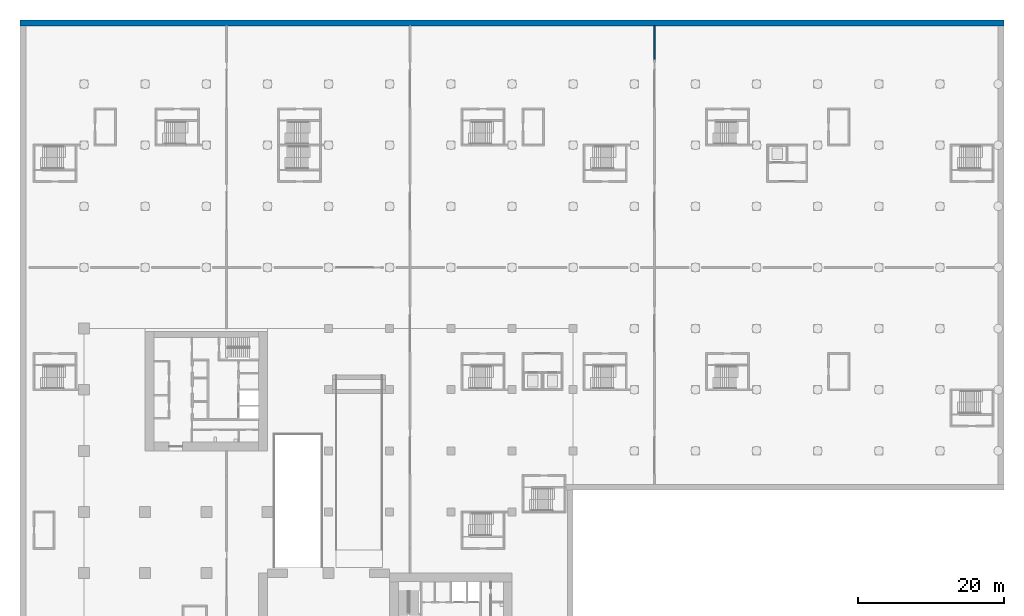
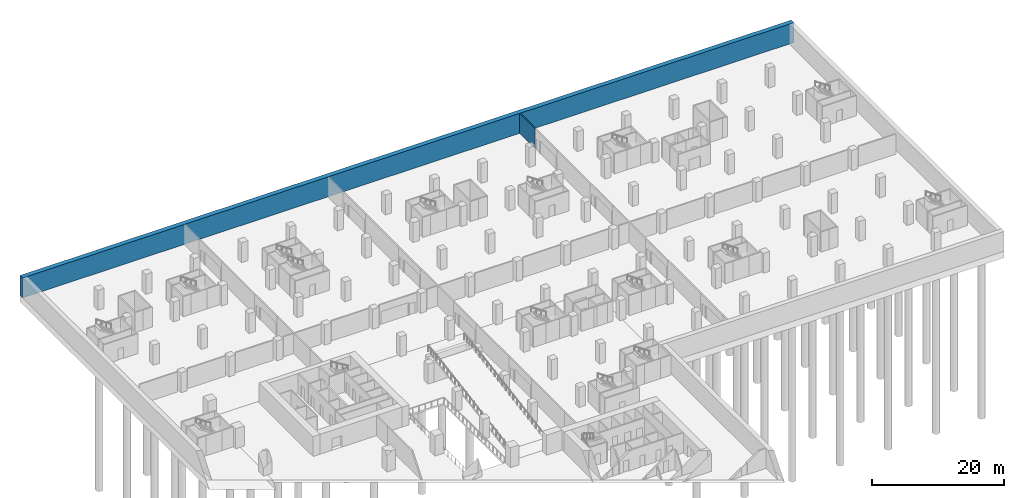
# One storey, part 12 of 19: 2 walls.
"""IFC4 building model written with IfcOpenShell, lengths in metres."""

from ifc_helpers import new_model, si_unit, direction, frame, frame_2d, origin, place, context, subcontext, project, spatial, rectangle, extrude, material, layer, layer_set, type_object, element, save


model = new_model("IFC4")

# Units and contexts
model_context = context("Model", 3, precision=1e-05, world=origin(), true_north=direction((0.0, 1.0)))
body_context = subcontext(model_context, "Body", "Model", "MODEL_VIEW")
ifc_project = project(units=[si_unit("LENGTHUNIT", "METRE"), si_unit("AREAUNIT", "SQUARE_METRE"), si_unit("VOLUMEUNIT", "CUBIC_METRE"), si_unit("PLANEANGLEUNIT", "RADIAN"), si_unit("MASSUNIT", "GRAM", prefix="KILO")], contexts=[model_context])

# Site, building, storey
site_placement = place(None, origin())
site = spatial("IfcSite", under=ifc_project, at=site_placement, CompositionType="ELEMENT")
building_placement = place(site_placement, origin())
building = spatial("IfcBuilding", under=site, at=building_placement, Name="Vermilion Gate Residences", CompositionType="ELEMENT")
storey_placement = place(building_placement, frame((0.0, 0.0, -8.0)))
storey = spatial("IfcBuildingStorey", under=building, at=storey_placement, Name="B2", CompositionType="ELEMENT", Elevation=-8.0)

# Walls
ifc_material_1 = material(Name="Concrete blockwork", Category="masonry")
ifc_layer_1 = layer(ifc_material_1, 0.199951171875)
ifc_layer_set_1 = layer_set([ifc_layer_1], Name="GARAGE FIRE WALL 200 EI 120 (AMENITY)")
wall_type_1 = type_object("IfcWallType", Name="GARAGE FIRE WALL 200 EI 120 (AMENITY)", PredefinedType="PARTITIONING", material=ifc_layer_set_1)
wall_1_placement = place(storey_placement, frame((78.39990234375, 95.800048828125, 0.0), z_axis=(0.0, 0.0, 1.0), x_axis=(0.0, 1.0, 0.0)))
element("IfcWall", 1, at=wall_1_placement, inside=storey, type_object=wall_type_1, Name="Fire compartment wall", PredefinedType="PARTITIONING", context=body_context, shape_type="SweptSolid", body=[
    extrude(rectangle(XDim=4.599853515625, YDim=0.199951171875, at=frame_2d((2.2998046875, 0.0))), origin(), (0.0, 0.0, 1.0), 3.699951171875),
])
ifc_material_2 = material(Name="Concrete C40", Category="concrete")
ifc_layer_2 = layer(ifc_material_2, 0.800048828125)
ifc_layer_set_2 = layer_set([ifc_layer_2], Name="RC DIAPHRAGM WALL 800 C40")
wall_type_2 = type_object("IfcWallType", Name="RC DIAPHRAGM WALL 800 C40", PredefinedType="SOLIDWALL", material=ifc_layer_set_2)
wall_2_placement = place(storey_placement, frame((-8.800048828125, 100.800048828125, 0.0), z_axis=(0.0, 0.0, 1.0), x_axis=(1.0, 0.0, 0.0)))
element("IfcWall", 2, at=wall_2_placement, inside=storey, type_object=wall_type_2, Name="Diaphragm wall B2 3", PredefinedType="SOLIDWALL", context=body_context, shape_type="SweptSolid", body=[
    extrude(rectangle(XDim=135.199951171875, YDim=0.800048828125, at=frame_2d((67.60009765625, 0.0))), origin(), (0.0, 0.0, 1.0), 3.699951171875),
])

save(model, "model.ifc")
